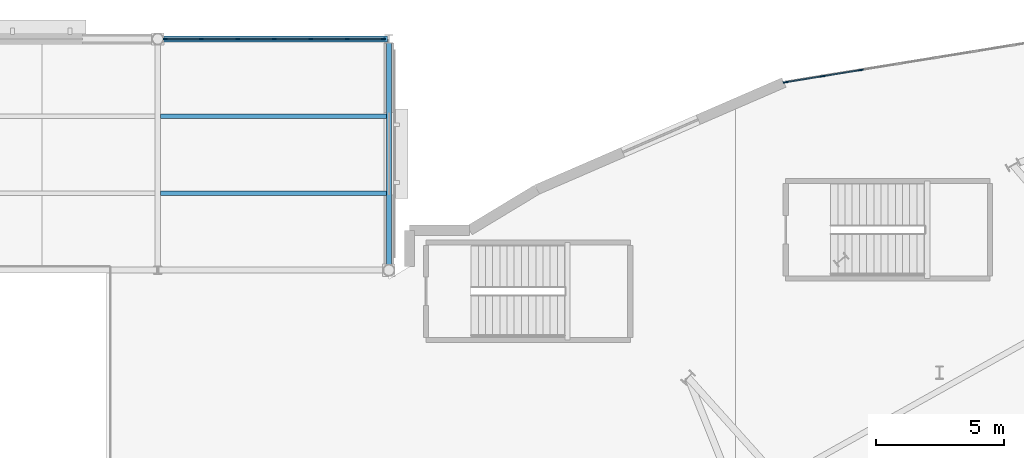
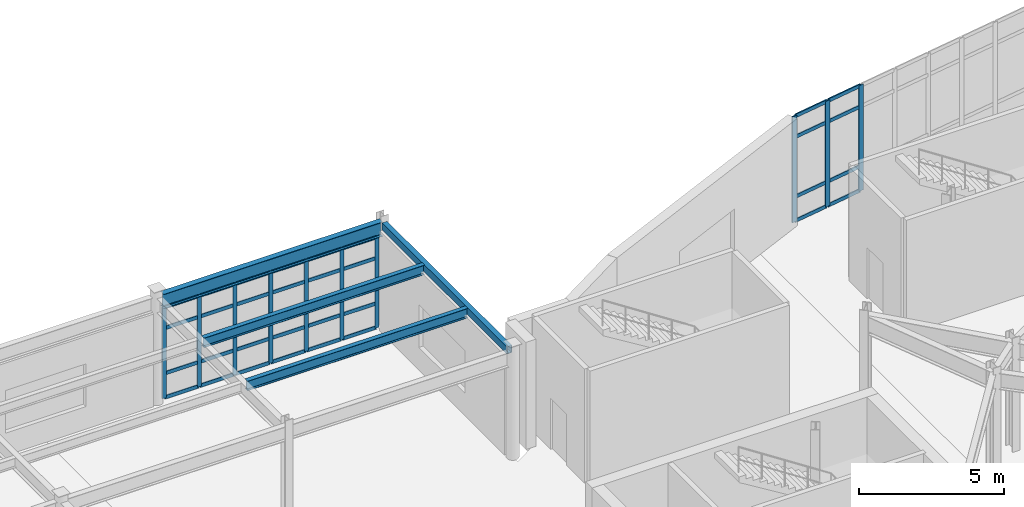
# One storey, part 42 of 86: 42 members, 4 beams, 2 elements without a shape of their own.
"""IFC4 building model written with IfcOpenShell, lengths in metres."""

from ifc_helpers import new_model, si_unit, direction, frame, origin, origin_2d, place, context, subcontext, project, spatial, rectangle, hollow_rectangle, i_section, extrude, material, material_profile, profile_set, type_object, element, aggregate, save


model = new_model("IFC4")

# Units and contexts
model_context = context("Model", 3, precision=1e-05, world=origin(), true_north=direction((0.0, 1.0)))
body_context = subcontext(model_context, "Body", "Model", "MODEL_VIEW")
ifc_project = project(units=[si_unit("LENGTHUNIT", "METRE"), si_unit("AREAUNIT", "SQUARE_METRE"), si_unit("VOLUMEUNIT", "CUBIC_METRE"), si_unit("PLANEANGLEUNIT", "RADIAN"), si_unit("MASSUNIT", "GRAM", prefix="KILO")], contexts=[model_context])

# Site, building, storey
site_placement = place(None, origin())
site = spatial("IfcSite", under=ifc_project, at=site_placement, CompositionType="ELEMENT")
building_placement = place(site_placement, origin())
building = spatial("IfcBuilding", under=site, at=building_placement, Name="Glasvene Arena", CompositionType="ELEMENT")
storey_placement = place(building_placement, frame((0.0, 0.0, 5.39990234375)))
storey = spatial("IfcBuildingStorey", under=building, at=storey_placement, Name="L01", CompositionType="ELEMENT", Elevation=5.39990234375)

# Beams
ifc_material_1 = material(Name="Steel S355J2", Category="steel")
ifc_material_profile_1 = material_profile(ifc_material_1, i_section(OverallWidth=0.228271484375, OverallDepth=0.607666015625, WebThickness=0.010986328125, FlangeThickness=0.017333984375, FilletRadius=0.0126953125, at=origin_2d()), Name="UKB 610x229x113")
ifc_profile_set_1 = profile_set([ifc_material_profile_1], Name="Steel S355J2")
beam_type_1 = type_object("IfcBeamType", Name="BM-GIRD-610", PredefinedType="BEAM", material=ifc_profile_set_1)
beam_1_placement = place(storey_placement, frame((36.223388671875, 118.0, 4.21630859375), z_axis=(1.0, 0.0, 0.0), x_axis=(0.0, 1.0, 0.0)))
element("IfcBeam", 1, at=beam_1_placement, inside=storey, type_object=beam_type_1, Name="Primary X girder L01-0594", PredefinedType="BEAM", context=body_context, shape_type="SweptSolid", body=[
    extrude(i_section(OverallWidth=0.228271484375, OverallDepth=0.607666015625, WebThickness=0.010986328125, FlangeThickness=0.017333984375, FilletRadius=0.0126953125, at=origin_2d()), origin(), (0.0, 0.0, 1.0), 8.7265625),
])
ifc_material_profile_2 = material_profile(ifc_material_1, i_section(OverallWidth=0.177978515625, OverallDepth=0.406494140625, WebThickness=0.0078125, FlangeThickness=0.0126953125, FilletRadius=0.01025390625, at=origin_2d()), Name="UKB 406x178x60")
ifc_profile_set_2 = profile_set([ifc_material_profile_2], Name="Steel S355J2")
beam_type_2 = type_object("IfcBeamType", Name="BM-JOIST-406", PredefinedType="JOIST", material=ifc_profile_set_2)
for number, where, z_axis, x_axis, name in (
    (2, (36.110107421875, 112.0, 4.31689453125), (1.0, 0.0, 0.0), (0.0, 1.0, 0.0), "Composite floor joist L01-0731"),
    (3, (36.110107421875, 115.0, 4.31689453125), (1.0, 0.0, 0.0), (0.0, 1.0, 0.0), "Composite floor joist L01-0732"),
):
    element("IfcBeam", number, at=place(storey_placement, frame(where, z_axis=z_axis, x_axis=x_axis)), inside=storey, type_object=beam_type_2, Name=name, PredefinedType="JOIST", context=body_context, shape_type="SweptSolid", body=[
        extrude(i_section(OverallWidth=0.177978515625, OverallDepth=0.406494140625, WebThickness=0.0078125, FlangeThickness=0.0126953125, FilletRadius=0.01025390625, at=origin_2d()), origin(), (0.0, 0.0, 1.0), 8.7939453125),
    ])
ifc_material_profile_3 = material_profile(ifc_material_1, hollow_rectangle(XDim=0.199951171875, YDim=0.300048828125, WallThickness=0.012451171875, at=origin_2d()), Name="RHS 300x200x12.5")
ifc_profile_set_3 = profile_set([ifc_material_profile_3], Name="Steel S355J2")
beam_type_3 = type_object("IfcBeamType", Name="BM-SPAND-300", PredefinedType="SPANDREL", material=ifc_profile_set_3)
beam_2_placement = place(storey_placement, frame((45.0, 109.223388671875, 4.3701171875), z_axis=(0.0, 1.0, 0.0), x_axis=(-1.0, 0.0, 0.0)))
element("IfcBeam", 4, at=beam_2_placement, inside=storey, type_object=beam_type_3, Name="Primary Y girder L01-0645", PredefinedType="SPANDREL", context=body_context, shape_type="SweptSolid", body=[
    extrude(hollow_rectangle(XDim=0.199951171875, YDim=0.300048828125, WallThickness=0.012451171875, at=origin_2d()), origin(), (0.0, 0.0, 1.0), 8.621337890625),
])

# Curtain wall, members
ifc_material_2 = material(Name="Low-emissivity laminated double glazing", Category="glass")
curtain_wall_type_1 = type_object("IfcCurtainWallType", Name="CW-FAC-L01-853x385", PredefinedType="USERDEFINED", material=ifc_material_2)
curtain_wall_1_placement = place(storey_placement, frame((36.2705078125, 118.0, 0.0)))
curtain_wall_1 = element("IfcCurtainWall", 5, at=curtain_wall_1_placement, inside=storey, type_object=curtain_wall_type_1, Name="Unitised curtain wall CW-F-L01-150-405-1180-4", ObjectType="CURTAIN WALL", PredefinedType="USERDEFINED")
ifc_material_3 = material(Name="Anodised architectural aluminium", Category="aluminium")
ifc_material_profile_4 = material_profile(ifc_material_3, rectangle(XDim=0.050048828125, YDim=0.159912109375, at=origin_2d()), Name="ALU MULLION 50x160")
ifc_profile_set_4 = profile_set([ifc_material_profile_4], Name="Anodised architectural aluminium")
member_type_1 = type_object("IfcMemberType", Name="CW-MUL-150", PredefinedType="MULLION", material=ifc_profile_set_4)
member_1_placement = place(storey_placement, frame((36.29541015625, 118.0, 0.06005859375), z_axis=(0.0, 0.0, 1.0), x_axis=(0.0, 1.0, 0.0)))
member_1 = element("IfcMember", 6, at=member_1_placement, type_object=member_type_1, Name="CW-007 mullion 1", PredefinedType="MULLION", context=body_context, shape_type="SweptSolid", body=[
    extrude(rectangle(XDim=0.050048828125, YDim=0.159912109375, at=origin_2d()), origin(), (0.0, 0.0, 1.0), 3.846923828125),
])
member_2_placement = place(storey_placement, frame((37.692626953125, 118.0, 0.06005859375), z_axis=(0.0, 0.0, 1.0), x_axis=(0.0, 1.0, 0.0)))
member_2 = element("IfcMember", 7, at=member_2_placement, type_object=member_type_1, Name="CW-007 mullion 2", PredefinedType="MULLION", context=body_context, shape_type="SweptSolid", body=[
    extrude(rectangle(XDim=0.050048828125, YDim=0.159912109375, at=origin_2d()), origin(), (0.0, 0.0, 1.0), 3.846923828125),
])
member_3_placement = place(storey_placement, frame((39.11474609375, 118.0, 0.06005859375), z_axis=(0.0, 0.0, 1.0), x_axis=(0.0, 1.0, 0.0)))
member_3 = element("IfcMember", 8, at=member_3_placement, type_object=member_type_1, Name="CW-007 mullion 3", PredefinedType="MULLION", context=body_context, shape_type="SweptSolid", body=[
    extrude(rectangle(XDim=0.050048828125, YDim=0.159912109375, at=origin_2d()), origin(), (0.0, 0.0, 1.0), 3.846923828125),
])
member_4_placement = place(storey_placement, frame((40.536865234375, 118.0, 0.06005859375), z_axis=(0.0, 0.0, 1.0), x_axis=(0.0, 1.0, 0.0)))
member_4 = element("IfcMember", 9, at=member_4_placement, type_object=member_type_1, Name="CW-007 mullion 4", PredefinedType="MULLION", context=body_context, shape_type="SweptSolid", body=[
    extrude(rectangle(XDim=0.050048828125, YDim=0.159912109375, at=origin_2d()), origin(), (0.0, 0.0, 1.0), 3.846923828125),
])
member_5_placement = place(storey_placement, frame((41.958984375, 118.0, 0.06005859375), z_axis=(0.0, 0.0, 1.0), x_axis=(0.0, 1.0, 0.0)))
member_5 = element("IfcMember", 10, at=member_5_placement, type_object=member_type_1, Name="CW-007 mullion 5", PredefinedType="MULLION", context=body_context, shape_type="SweptSolid", body=[
    extrude(rectangle(XDim=0.050048828125, YDim=0.159912109375, at=origin_2d()), origin(), (0.0, 0.0, 1.0), 3.846923828125),
])
member_6_placement = place(storey_placement, frame((43.38134765625, 118.0, 0.06005859375), z_axis=(0.0, 0.0, 1.0), x_axis=(0.0, 1.0, 0.0)))
member_6 = element("IfcMember", 11, at=member_6_placement, type_object=member_type_1, Name="CW-007 mullion 6", PredefinedType="MULLION", context=body_context, shape_type="SweptSolid", body=[
    extrude(rectangle(XDim=0.050048828125, YDim=0.159912109375, at=origin_2d()), origin(), (0.0, 0.0, 1.0), 3.846923828125),
])
member_7_placement = place(storey_placement, frame((44.7783203125, 118.0, 0.06005859375), z_axis=(0.0, 0.0, 1.0), x_axis=(0.0, 1.0, 0.0)))
member_7 = element("IfcMember", 12, at=member_7_placement, type_object=member_type_1, Name="CW-007 mullion 7", PredefinedType="MULLION", context=body_context, shape_type="SweptSolid", body=[
    extrude(rectangle(XDim=0.050048828125, YDim=0.159912109375, at=origin_2d()), origin(), (0.0, 0.0, 1.0), 3.846923828125),
])

curtain_wall_type_2 = type_object("IfcCurtainWallType", Name="CW-FAC-L01-1047x446", PredefinedType="USERDEFINED", material=ifc_material_2)
curtain_wall_2_placement = place(storey_placement, frame((60.42041015625, 116.314208984375, 0.0)))
curtain_wall_2 = element("IfcCurtainWall", 13, at=curtain_wall_2_placement, inside=storey, type_object=curtain_wall_type_2, Name="Unitised curtain wall CW-F-L01-180-656-1172-10", ObjectType="CURTAIN WALL", PredefinedType="USERDEFINED")
ifc_material_profile_5 = material_profile(ifc_material_3, rectangle(XDim=0.050048828125, YDim=0.199951171875, at=origin_2d()), Name="ALU MULLION 50x200")
ifc_profile_set_5 = profile_set([ifc_material_profile_5], Name="Anodised architectural aluminium")
member_type_2 = type_object("IfcMemberType", Name="CW-MUL-180", PredefinedType="MULLION", material=ifc_profile_set_5)
member_8_placement = place(storey_placement, frame((60.445068359375, 116.318115234375, 0.06005859375), z_axis=(0.0, 0.0, 1.0), x_axis=(-0.160367114184, 0.987057439407, 0.0)))
member_8 = element("IfcMember", 14, at=member_8_placement, type_object=member_type_2, Name="CW-008 mullion 1", PredefinedType="MULLION", context=body_context, shape_type="SweptSolid", body=[
    extrude(rectangle(XDim=0.050048828125, YDim=0.199951171875, at=origin_2d()), origin(), (0.0, 0.0, 1.0), 4.4599609375),
])
member_9_placement = place(storey_placement, frame((61.89697265625, 116.553955078125, 0.06005859375), z_axis=(0.0, 0.0, 1.0), x_axis=(-0.160367114184, 0.987057439407, 0.0)))
member_9 = element("IfcMember", 15, at=member_9_placement, type_object=member_type_2, Name="CW-008 mullion 2", PredefinedType="MULLION", context=body_context, shape_type="SweptSolid", body=[
    extrude(rectangle(XDim=0.050048828125, YDim=0.199951171875, at=origin_2d()), origin(), (0.0, 0.0, 1.0), 4.4599609375),
])
member_10_placement = place(storey_placement, frame((63.373779296875, 116.7939453125, 0.06005859375), z_axis=(0.0, 0.0, 1.0), x_axis=(-0.160367114184, 0.987057439407, 0.0)))
member_10 = element("IfcMember", 16, at=member_10_placement, type_object=member_type_2, Name="CW-008 mullion 3", PredefinedType="MULLION", context=body_context, shape_type="SweptSolid", body=[
    extrude(rectangle(XDim=0.050048828125, YDim=0.199951171875, at=origin_2d()), origin(), (0.0, 0.0, 1.0), 4.4599609375),
])

# Member
ifc_material_profile_6 = material_profile(ifc_material_3, rectangle(XDim=0.050048828125, YDim=0.14990234375, at=origin_2d()), Name="ALU TRANSOM 50x150")
ifc_profile_set_6 = profile_set([ifc_material_profile_6], Name="Anodised architectural aluminium")
member_type_3 = type_object("IfcMemberType", Name="CW-TRN-150", PredefinedType="USERDEFINED", material=ifc_profile_set_6)
member_11_placement = place(storey_placement, frame((36.320556640625, 118.0, 0.085205078125), z_axis=(1.0, 0.0, 0.0), x_axis=(0.0, 1.0, 0.0)))
member_11 = element("IfcMember", 17, at=member_11_placement, type_object=member_type_3, Name="CW-007 transom 1.1", ObjectType="TRANSOM", PredefinedType="USERDEFINED", context=body_context, shape_type="SweptSolid", body=[
    extrude(rectangle(XDim=0.050048828125, YDim=0.14990234375, at=origin_2d()), origin(), (0.0, 0.0, 1.0), 1.34716796875),
])

member_12_placement = place(storey_placement, frame((36.320556640625, 118.0, 1.10009765625), z_axis=(1.0, 0.0, 0.0), x_axis=(0.0, 1.0, 0.0)))
member_12 = element("IfcMember", 18, at=member_12_placement, type_object=member_type_3, Name="CW-007 transom 1.2", ObjectType="TRANSOM", PredefinedType="USERDEFINED", context=body_context, shape_type="SweptSolid", body=[
    extrude(rectangle(XDim=0.050048828125, YDim=0.14990234375, at=origin_2d()), origin(), (0.0, 0.0, 1.0), 1.34716796875),
])

member_13_placement = place(storey_placement, frame((36.320556640625, 118.0, 3.007080078125), z_axis=(1.0, 0.0, 0.0), x_axis=(0.0, 1.0, 0.0)))
member_13 = element("IfcMember", 19, at=member_13_placement, type_object=member_type_3, Name="CW-007 transom 1.3", ObjectType="TRANSOM", PredefinedType="USERDEFINED", context=body_context, shape_type="SweptSolid", body=[
    extrude(rectangle(XDim=0.050048828125, YDim=0.14990234375, at=origin_2d()), origin(), (0.0, 0.0, 1.0), 1.34716796875),
])

member_14_placement = place(storey_placement, frame((36.320556640625, 118.0, 3.882080078125), z_axis=(1.0, 0.0, 0.0), x_axis=(0.0, 1.0, 0.0)))
member_14 = element("IfcMember", 20, at=member_14_placement, type_object=member_type_3, Name="CW-007 transom 1.4", ObjectType="TRANSOM", PredefinedType="USERDEFINED", context=body_context, shape_type="SweptSolid", body=[
    extrude(rectangle(XDim=0.050048828125, YDim=0.14990234375, at=origin_2d()), origin(), (0.0, 0.0, 1.0), 1.34716796875),
])

member_15_placement = place(storey_placement, frame((37.717529296875, 118.0, 0.085205078125), z_axis=(1.0, 0.0, 0.0), x_axis=(0.0, 1.0, 0.0)))
member_15 = element("IfcMember", 21, at=member_15_placement, type_object=member_type_3, Name="CW-007 transom 2.1", ObjectType="TRANSOM", PredefinedType="USERDEFINED", context=body_context, shape_type="SweptSolid", body=[
    extrude(rectangle(XDim=0.050048828125, YDim=0.14990234375, at=origin_2d()), origin(), (0.0, 0.0, 1.0), 1.372314453125),
])

member_16_placement = place(storey_placement, frame((37.717529296875, 118.0, 1.10009765625), z_axis=(1.0, 0.0, 0.0), x_axis=(0.0, 1.0, 0.0)))
member_16 = element("IfcMember", 22, at=member_16_placement, type_object=member_type_3, Name="CW-007 transom 2.2", ObjectType="TRANSOM", PredefinedType="USERDEFINED", context=body_context, shape_type="SweptSolid", body=[
    extrude(rectangle(XDim=0.050048828125, YDim=0.14990234375, at=origin_2d()), origin(), (0.0, 0.0, 1.0), 1.372314453125),
])

member_17_placement = place(storey_placement, frame((37.717529296875, 118.0, 3.007080078125), z_axis=(1.0, 0.0, 0.0), x_axis=(0.0, 1.0, 0.0)))
member_17 = element("IfcMember", 23, at=member_17_placement, type_object=member_type_3, Name="CW-007 transom 2.3", ObjectType="TRANSOM", PredefinedType="USERDEFINED", context=body_context, shape_type="SweptSolid", body=[
    extrude(rectangle(XDim=0.050048828125, YDim=0.14990234375, at=origin_2d()), origin(), (0.0, 0.0, 1.0), 1.372314453125),
])

member_18_placement = place(storey_placement, frame((37.717529296875, 118.0, 3.882080078125), z_axis=(1.0, 0.0, 0.0), x_axis=(0.0, 1.0, 0.0)))
member_18 = element("IfcMember", 24, at=member_18_placement, type_object=member_type_3, Name="CW-007 transom 2.4", ObjectType="TRANSOM", PredefinedType="USERDEFINED", context=body_context, shape_type="SweptSolid", body=[
    extrude(rectangle(XDim=0.050048828125, YDim=0.14990234375, at=origin_2d()), origin(), (0.0, 0.0, 1.0), 1.372314453125),
])

member_19_placement = place(storey_placement, frame((39.139892578125, 118.0, 0.085205078125), z_axis=(1.0, 0.0, 0.0), x_axis=(0.0, 1.0, 0.0)))
member_19 = element("IfcMember", 25, at=member_19_placement, type_object=member_type_3, Name="CW-007 transom 3.1", ObjectType="TRANSOM", PredefinedType="USERDEFINED", context=body_context, shape_type="SweptSolid", body=[
    extrude(rectangle(XDim=0.050048828125, YDim=0.14990234375, at=origin_2d()), origin(), (0.0, 0.0, 1.0), 1.3720703125),
])

member_20_placement = place(storey_placement, frame((39.139892578125, 118.0, 1.10009765625), z_axis=(1.0, 0.0, 0.0), x_axis=(0.0, 1.0, 0.0)))
member_20 = element("IfcMember", 26, at=member_20_placement, type_object=member_type_3, Name="CW-007 transom 3.2", ObjectType="TRANSOM", PredefinedType="USERDEFINED", context=body_context, shape_type="SweptSolid", body=[
    extrude(rectangle(XDim=0.050048828125, YDim=0.14990234375, at=origin_2d()), origin(), (0.0, 0.0, 1.0), 1.3720703125),
])

member_21_placement = place(storey_placement, frame((39.139892578125, 118.0, 3.007080078125), z_axis=(1.0, 0.0, 0.0), x_axis=(0.0, 1.0, 0.0)))
member_21 = element("IfcMember", 27, at=member_21_placement, type_object=member_type_3, Name="CW-007 transom 3.3", ObjectType="TRANSOM", PredefinedType="USERDEFINED", context=body_context, shape_type="SweptSolid", body=[
    extrude(rectangle(XDim=0.050048828125, YDim=0.14990234375, at=origin_2d()), origin(), (0.0, 0.0, 1.0), 1.3720703125),
])

member_22_placement = place(storey_placement, frame((39.139892578125, 118.0, 3.882080078125), z_axis=(1.0, 0.0, 0.0), x_axis=(0.0, 1.0, 0.0)))
member_22 = element("IfcMember", 28, at=member_22_placement, type_object=member_type_3, Name="CW-007 transom 3.4", ObjectType="TRANSOM", PredefinedType="USERDEFINED", context=body_context, shape_type="SweptSolid", body=[
    extrude(rectangle(XDim=0.050048828125, YDim=0.14990234375, at=origin_2d()), origin(), (0.0, 0.0, 1.0), 1.3720703125),
])

member_23_placement = place(storey_placement, frame((40.56201171875, 118.0, 0.085205078125), z_axis=(1.0, 0.0, 0.0), x_axis=(0.0, 1.0, 0.0)))
member_23 = element("IfcMember", 29, at=member_23_placement, type_object=member_type_3, Name="CW-007 transom 4.1", ObjectType="TRANSOM", PredefinedType="USERDEFINED", context=body_context, shape_type="SweptSolid", body=[
    extrude(rectangle(XDim=0.050048828125, YDim=0.14990234375, at=origin_2d()), origin(), (0.0, 0.0, 1.0), 1.3720703125),
])

member_24_placement = place(storey_placement, frame((40.56201171875, 118.0, 1.10009765625), z_axis=(1.0, 0.0, 0.0), x_axis=(0.0, 1.0, 0.0)))
member_24 = element("IfcMember", 30, at=member_24_placement, type_object=member_type_3, Name="CW-007 transom 4.2", ObjectType="TRANSOM", PredefinedType="USERDEFINED", context=body_context, shape_type="SweptSolid", body=[
    extrude(rectangle(XDim=0.050048828125, YDim=0.14990234375, at=origin_2d()), origin(), (0.0, 0.0, 1.0), 1.3720703125),
])

member_25_placement = place(storey_placement, frame((40.56201171875, 118.0, 3.007080078125), z_axis=(1.0, 0.0, 0.0), x_axis=(0.0, 1.0, 0.0)))
member_25 = element("IfcMember", 31, at=member_25_placement, type_object=member_type_3, Name="CW-007 transom 4.3", ObjectType="TRANSOM", PredefinedType="USERDEFINED", context=body_context, shape_type="SweptSolid", body=[
    extrude(rectangle(XDim=0.050048828125, YDim=0.14990234375, at=origin_2d()), origin(), (0.0, 0.0, 1.0), 1.3720703125),
])

member_26_placement = place(storey_placement, frame((40.56201171875, 118.0, 3.882080078125), z_axis=(1.0, 0.0, 0.0), x_axis=(0.0, 1.0, 0.0)))
member_26 = element("IfcMember", 32, at=member_26_placement, type_object=member_type_3, Name="CW-007 transom 4.4", ObjectType="TRANSOM", PredefinedType="USERDEFINED", context=body_context, shape_type="SweptSolid", body=[
    extrude(rectangle(XDim=0.050048828125, YDim=0.14990234375, at=origin_2d()), origin(), (0.0, 0.0, 1.0), 1.3720703125),
])

member_27_placement = place(storey_placement, frame((41.984130859375, 118.0, 0.085205078125), z_axis=(1.0, 0.0, 0.0), x_axis=(0.0, 1.0, 0.0)))
member_27 = element("IfcMember", 33, at=member_27_placement, type_object=member_type_3, Name="CW-007 transom 5.1", ObjectType="TRANSOM", PredefinedType="USERDEFINED", context=body_context, shape_type="SweptSolid", body=[
    extrude(rectangle(XDim=0.050048828125, YDim=0.14990234375, at=origin_2d()), origin(), (0.0, 0.0, 1.0), 1.3720703125),
])

member_28_placement = place(storey_placement, frame((41.984130859375, 118.0, 1.10009765625), z_axis=(1.0, 0.0, 0.0), x_axis=(0.0, 1.0, 0.0)))
member_28 = element("IfcMember", 34, at=member_28_placement, type_object=member_type_3, Name="CW-007 transom 5.2", ObjectType="TRANSOM", PredefinedType="USERDEFINED", context=body_context, shape_type="SweptSolid", body=[
    extrude(rectangle(XDim=0.050048828125, YDim=0.14990234375, at=origin_2d()), origin(), (0.0, 0.0, 1.0), 1.3720703125),
])

member_29_placement = place(storey_placement, frame((41.984130859375, 118.0, 3.007080078125), z_axis=(1.0, 0.0, 0.0), x_axis=(0.0, 1.0, 0.0)))
member_29 = element("IfcMember", 35, at=member_29_placement, type_object=member_type_3, Name="CW-007 transom 5.3", ObjectType="TRANSOM", PredefinedType="USERDEFINED", context=body_context, shape_type="SweptSolid", body=[
    extrude(rectangle(XDim=0.050048828125, YDim=0.14990234375, at=origin_2d()), origin(), (0.0, 0.0, 1.0), 1.3720703125),
])

member_30_placement = place(storey_placement, frame((41.984130859375, 118.0, 3.882080078125), z_axis=(1.0, 0.0, 0.0), x_axis=(0.0, 1.0, 0.0)))
member_30 = element("IfcMember", 36, at=member_30_placement, type_object=member_type_3, Name="CW-007 transom 5.4", ObjectType="TRANSOM", PredefinedType="USERDEFINED", context=body_context, shape_type="SweptSolid", body=[
    extrude(rectangle(XDim=0.050048828125, YDim=0.14990234375, at=origin_2d()), origin(), (0.0, 0.0, 1.0), 1.3720703125),
])

member_31_placement = place(storey_placement, frame((43.40625, 118.0, 0.085205078125), z_axis=(1.0, 0.0, 0.0), x_axis=(0.0, 1.0, 0.0)))
member_31 = element("IfcMember", 37, at=member_31_placement, type_object=member_type_3, Name="CW-007 transom 6.1", ObjectType="TRANSOM", PredefinedType="USERDEFINED", context=body_context, shape_type="SweptSolid", body=[
    extrude(rectangle(XDim=0.050048828125, YDim=0.14990234375, at=origin_2d()), origin(), (0.0, 0.0, 1.0), 1.34716796875),
])

member_32_placement = place(storey_placement, frame((43.40625, 118.0, 1.10009765625), z_axis=(1.0, 0.0, 0.0), x_axis=(0.0, 1.0, 0.0)))
member_32 = element("IfcMember", 38, at=member_32_placement, type_object=member_type_3, Name="CW-007 transom 6.2", ObjectType="TRANSOM", PredefinedType="USERDEFINED", context=body_context, shape_type="SweptSolid", body=[
    extrude(rectangle(XDim=0.050048828125, YDim=0.14990234375, at=origin_2d()), origin(), (0.0, 0.0, 1.0), 1.34716796875),
])

member_33_placement = place(storey_placement, frame((43.40625, 118.0, 3.007080078125), z_axis=(1.0, 0.0, 0.0), x_axis=(0.0, 1.0, 0.0)))
member_33 = element("IfcMember", 39, at=member_33_placement, type_object=member_type_3, Name="CW-007 transom 6.3", ObjectType="TRANSOM", PredefinedType="USERDEFINED", context=body_context, shape_type="SweptSolid", body=[
    extrude(rectangle(XDim=0.050048828125, YDim=0.14990234375, at=origin_2d()), origin(), (0.0, 0.0, 1.0), 1.34716796875),
])

member_34_placement = place(storey_placement, frame((43.40625, 118.0, 3.882080078125), z_axis=(1.0, 0.0, 0.0), x_axis=(0.0, 1.0, 0.0)))
member_34 = element("IfcMember", 40, at=member_34_placement, type_object=member_type_3, Name="CW-007 transom 6.4", ObjectType="TRANSOM", PredefinedType="USERDEFINED", context=body_context, shape_type="SweptSolid", body=[
    extrude(rectangle(XDim=0.050048828125, YDim=0.14990234375, at=origin_2d()), origin(), (0.0, 0.0, 1.0), 1.34716796875),
])

aggregate(curtain_wall_1, [member_1, member_2, member_3, member_4, member_5, member_6, member_7, member_11, member_12, member_13, member_14, member_15, member_16, member_17, member_18, member_19, member_20, member_21, member_22, member_23, member_24, member_25, member_26, member_27, member_28, member_29, member_30, member_31, member_32, member_33, member_34])

member_35_placement = place(storey_placement, frame((60.4697265625, 116.322021484375, 0.085205078125), z_axis=(0.987040831626, 0.160469301434, 0.0), x_axis=(-0.160469301434, 0.987040831626, 0.0)))
member_35 = element("IfcMember", 41, at=member_35_placement, type_object=member_type_3, Name="CW-008 transom 1.1", ObjectType="TRANSOM", PredefinedType="USERDEFINED", context=body_context, shape_type="SweptSolid", body=[
    extrude(rectangle(XDim=0.050048828125, YDim=0.14990234375, at=origin_2d()), origin(), (0.0, 0.0, 1.0), 1.4208984375),
])

member_36_placement = place(storey_placement, frame((60.4697265625, 116.322021484375, 1.10009765625), z_axis=(0.987040831626, 0.160469301434, 0.0), x_axis=(-0.160469301434, 0.987040831626, 0.0)))
member_36 = element("IfcMember", 42, at=member_36_placement, type_object=member_type_3, Name="CW-008 transom 1.2", ObjectType="TRANSOM", PredefinedType="USERDEFINED", context=body_context, shape_type="SweptSolid", body=[
    extrude(rectangle(XDim=0.050048828125, YDim=0.14990234375, at=origin_2d()), origin(), (0.0, 0.0, 1.0), 1.4208984375),
])

member_37_placement = place(storey_placement, frame((60.4697265625, 116.322021484375, 3.6201171875), z_axis=(0.987040831626, 0.160469301434, 0.0), x_axis=(-0.160469301434, 0.987040831626, 0.0)))
member_37 = element("IfcMember", 43, at=member_37_placement, type_object=member_type_3, Name="CW-008 transom 1.3", ObjectType="TRANSOM", PredefinedType="USERDEFINED", context=body_context, shape_type="SweptSolid", body=[
    extrude(rectangle(XDim=0.050048828125, YDim=0.14990234375, at=origin_2d()), origin(), (0.0, 0.0, 1.0), 1.4208984375),
])

member_38_placement = place(storey_placement, frame((60.4697265625, 116.322021484375, 4.4951171875), z_axis=(0.987040831626, 0.160469301434, 0.0), x_axis=(-0.160469301434, 0.987040831626, 0.0)))
member_38 = element("IfcMember", 44, at=member_38_placement, type_object=member_type_3, Name="CW-008 transom 1.4", ObjectType="TRANSOM", PredefinedType="USERDEFINED", context=body_context, shape_type="SweptSolid", body=[
    extrude(rectangle(XDim=0.050048828125, YDim=0.14990234375, at=origin_2d()), origin(), (0.0, 0.0, 1.0), 1.4208984375),
])

member_39_placement = place(storey_placement, frame((61.921630859375, 116.55810546875, 0.085205078125), z_axis=(0.987056409266, 0.160373454558, 0.0), x_axis=(-0.160373454558, 0.987056409266, 0.0)))
member_39 = element("IfcMember", 45, at=member_39_placement, type_object=member_type_3, Name="CW-008 transom 2.1", ObjectType="TRANSOM", PredefinedType="USERDEFINED", context=body_context, shape_type="SweptSolid", body=[
    extrude(rectangle(XDim=0.050048828125, YDim=0.14990234375, at=origin_2d()), origin(), (0.0, 0.0, 1.0), 1.4462890625),
])

member_40_placement = place(storey_placement, frame((61.921630859375, 116.55810546875, 1.10009765625), z_axis=(0.987056409266, 0.160373454558, 0.0), x_axis=(-0.160373454558, 0.987056409266, 0.0)))
member_40 = element("IfcMember", 46, at=member_40_placement, type_object=member_type_3, Name="CW-008 transom 2.2", ObjectType="TRANSOM", PredefinedType="USERDEFINED", context=body_context, shape_type="SweptSolid", body=[
    extrude(rectangle(XDim=0.050048828125, YDim=0.14990234375, at=origin_2d()), origin(), (0.0, 0.0, 1.0), 1.4462890625),
])

member_41_placement = place(storey_placement, frame((61.921630859375, 116.55810546875, 3.6201171875), z_axis=(0.987056409266, 0.160373454558, 0.0), x_axis=(-0.160373454558, 0.987056409266, 0.0)))
member_41 = element("IfcMember", 47, at=member_41_placement, type_object=member_type_3, Name="CW-008 transom 2.3", ObjectType="TRANSOM", PredefinedType="USERDEFINED", context=body_context, shape_type="SweptSolid", body=[
    extrude(rectangle(XDim=0.050048828125, YDim=0.14990234375, at=origin_2d()), origin(), (0.0, 0.0, 1.0), 1.4462890625),
])

member_42_placement = place(storey_placement, frame((61.921630859375, 116.55810546875, 4.4951171875), z_axis=(0.987056409266, 0.160373454558, 0.0), x_axis=(-0.160373454558, 0.987056409266, 0.0)))
member_42 = element("IfcMember", 48, at=member_42_placement, type_object=member_type_3, Name="CW-008 transom 2.4", ObjectType="TRANSOM", PredefinedType="USERDEFINED", context=body_context, shape_type="SweptSolid", body=[
    extrude(rectangle(XDim=0.050048828125, YDim=0.14990234375, at=origin_2d()), origin(), (0.0, 0.0, 1.0), 1.4462890625),
])

aggregate(curtain_wall_2, [member_8, member_9, member_10, member_35, member_36, member_37, member_38, member_39, member_40, member_41, member_42])

save(model, "model.ifc")
